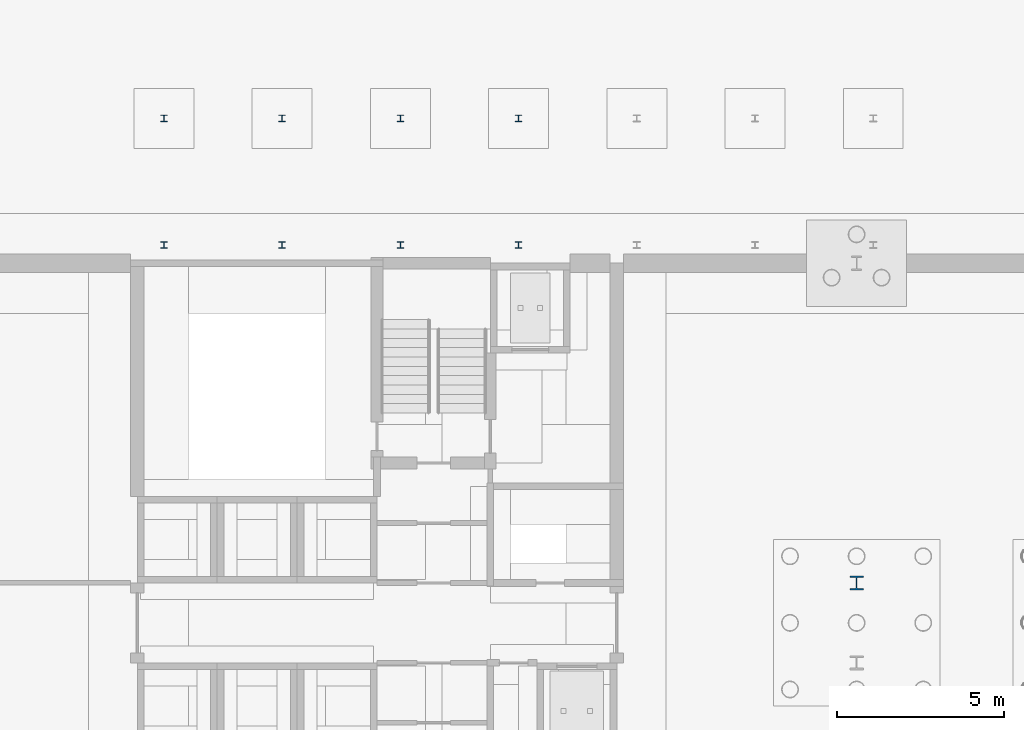
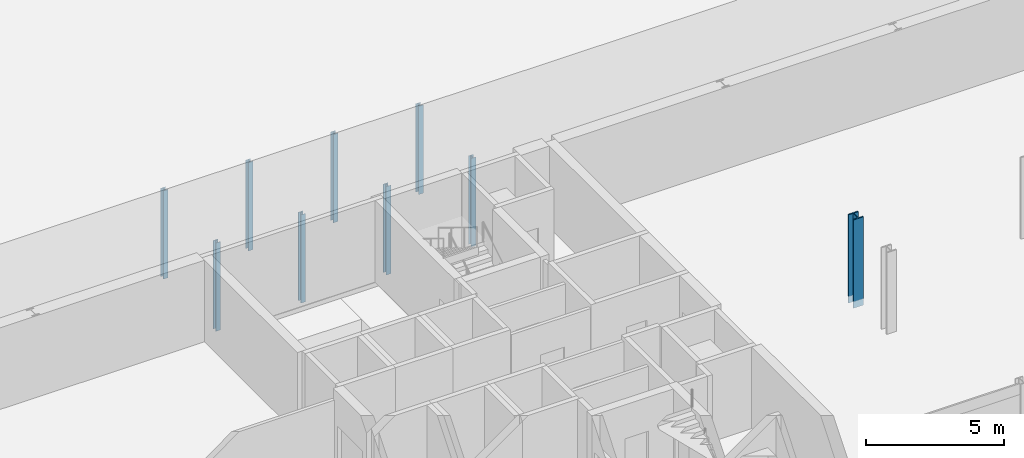
# One storey, part 61 of 148: 9 columns.
"""IFC4 building model written with IfcOpenShell, lengths in metres."""

from ifc_helpers import new_model, si_unit, direction, frame, origin, origin_2d, place, context, subcontext, project, spatial, i_section, extrude, material, material_profile, profile_set, type_object, element, save


model = new_model("IFC4")

# Units and contexts
model_context = context("Model", 3, precision=1e-05, world=origin(), true_north=direction((0.0, 1.0)))
body_context = subcontext(model_context, "Body", "Model", "MODEL_VIEW")
ifc_project = project(units=[si_unit("LENGTHUNIT", "METRE"), si_unit("AREAUNIT", "SQUARE_METRE"), si_unit("VOLUMEUNIT", "CUBIC_METRE"), si_unit("PLANEANGLEUNIT", "RADIAN"), si_unit("MASSUNIT", "GRAM", prefix="KILO")], contexts=[model_context])

# Site, building, storey
site_placement = place(None, origin())
site = spatial("IfcSite", under=ifc_project, at=site_placement, CompositionType="ELEMENT")
building_placement = place(site_placement, origin())
building = spatial("IfcBuilding", under=site, at=building_placement, Name="Kupolbacken Congress Centre", CompositionType="ELEMENT")
storey_placement = place(building_placement, origin())
storey = spatial("IfcBuildingStorey", under=building, at=storey_placement, Name="L00", CompositionType="ELEMENT", Elevation=0.0)

# Columns
ifc_material_1 = material(Name="Steel S355", Category="steel")
ifc_material_profile_1 = material_profile(ifc_material_1, i_section(OverallWidth=0.408935546875, OverallDepth=0.425048828125, WebThickness=0.03271484375, FlangeThickness=0.052490234375, FilletRadius=0.014892578125, at=origin_2d()), Name="HD 400 x 421")
ifc_profile_set_1 = profile_set([ifc_material_profile_1], Name="Steel S355")
column_type_1 = type_object("IfcColumnType", Name="C01 column HD 400 x 421", PredefinedType="COLUMN", material=ifc_profile_set_1)
column_placement = place(storey_placement, frame((115.199951171875, 134.39990234375, -0.300048828125), z_axis=(0.0, 0.0, 1.0), x_axis=(1.0, 0.0, 0.0)))
element("IfcColumn", 1, at=column_placement, inside=storey, type_object=column_type_1, Name="S/col/C-T-17U+4800/L00", PredefinedType="COLUMN", context=body_context, shape_type="SweptSolid", body=[
    extrude(i_section(OverallWidth=0.408935546875, OverallDepth=0.425048828125, WebThickness=0.03271484375, FlangeThickness=0.052490234375, FilletRadius=0.014892578125, at=origin_2d()), origin(), (0.0, 0.0, 1.0), 3.900146484375),
])
ifc_material_2 = material(Name="Steel S355", Category="steel")
ifc_material_profile_2 = material_profile(ifc_material_2, i_section(OverallWidth=0.199951171875, OverallDepth=0.199951171875, WebThickness=0.009033203125, FlangeThickness=0.014892578125, FilletRadius=0.01806640625, at=origin_2d()), Name="HEB 200")
ifc_profile_set_2 = profile_set([ifc_material_profile_2], Name="Steel S355")
column_type_2 = type_object("IfcColumnType", Name="C11 column HEB 200", PredefinedType="COLUMN", material=ifc_profile_set_2)
for number, where, z_axis, x_axis, name in (
    (2, (94.39990234375, 144.550048828125, -0.300048828125), (0.0, 0.0, 1.0), (1.0, 0.0, 0.0), "Covered passage column"),
    (3, (94.39990234375, 148.35009765625, -0.300048828125), (0.0, 0.0, 1.0), (1.0, 0.0, 0.0), "Covered passage column"),
    (4, (97.949951171875, 144.550048828125, -0.300048828125), (0.0, 0.0, 1.0), (1.0, 0.0, 0.0), "Covered passage column"),
    (5, (97.949951171875, 148.35009765625, -0.300048828125), (0.0, 0.0, 1.0), (1.0, 0.0, 0.0), "Covered passage column"),
    (6, (101.5, 144.550048828125, -0.300048828125), (0.0, 0.0, 1.0), (1.0, 0.0, 0.0), "Covered passage column"),
    (7, (101.5, 148.35009765625, -0.300048828125), (0.0, 0.0, 1.0), (1.0, 0.0, 0.0), "Covered passage column"),
    (8, (105.050048828125, 144.550048828125, -0.300048828125), (0.0, 0.0, 1.0), (1.0, 0.0, 0.0), "Covered passage column"),
    (9, (105.050048828125, 148.35009765625, -0.300048828125), (0.0, 0.0, 1.0), (1.0, 0.0, 0.0), "Covered passage column"),
):
    element("IfcColumn", number, at=place(storey_placement, frame(where, z_axis=z_axis, x_axis=x_axis)), inside=storey, type_object=column_type_2, Name=name, PredefinedType="COLUMN", context=body_context, shape_type="SweptSolid", body=[
        extrude(i_section(OverallWidth=0.199951171875, OverallDepth=0.199951171875, WebThickness=0.009033203125, FlangeThickness=0.014892578125, FilletRadius=0.01806640625, at=origin_2d()), origin(), (0.0, 0.0, 1.0), 3.900146484375),
    ])

save(model, "model.ifc")
